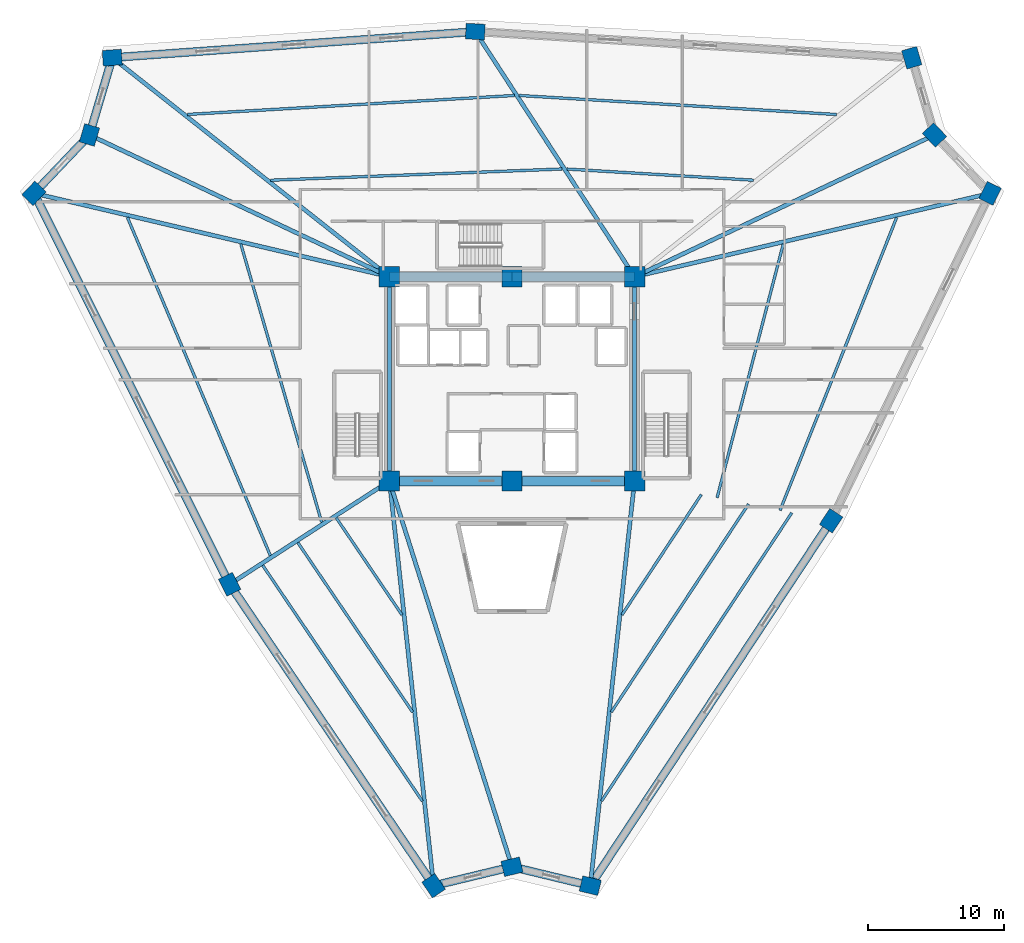
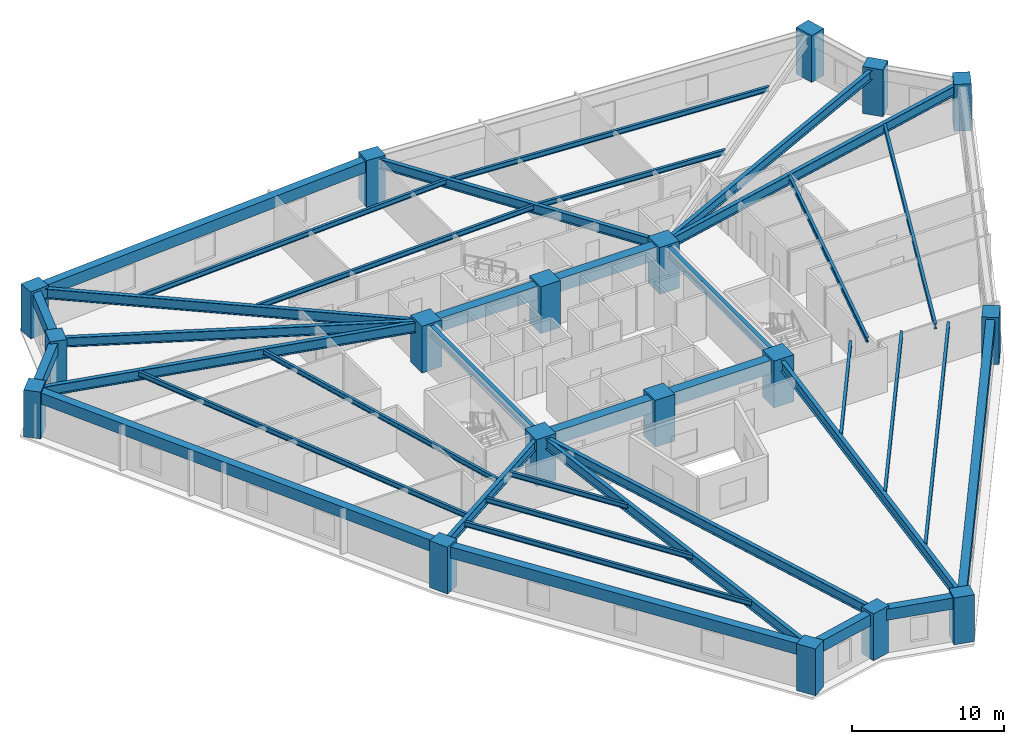
# One storey, part 1 of 8: 38 beams, 18 columns.
"""IFC4 building model written with IfcOpenShell, lengths in metres."""

from ifc_helpers import new_model, si_unit, direction, frame, origin, origin_2d, place, context, subcontext, project, spatial, rectangle, i_section, extrude, source, transform, mapped, material, material_profile, profile_set, type_object, element, save


model = new_model("IFC4")

# Units and contexts
model_context = context("Model", 3, precision=1e-05, world=origin(), true_north=direction((0.0, 1.0)))
body_context = subcontext(model_context, "Body", "Model", "MODEL_VIEW")
ifc_project = project(units=[si_unit("LENGTHUNIT", "METRE"), si_unit("AREAUNIT", "SQUARE_METRE"), si_unit("VOLUMEUNIT", "CUBIC_METRE"), si_unit("PLANEANGLEUNIT", "RADIAN"), si_unit("MASSUNIT", "GRAM", prefix="KILO")], contexts=[model_context])

# Site, building, storey
site_placement = place(None, origin())
site = spatial("IfcSite", under=ifc_project, at=site_placement, CompositionType="ELEMENT")
building_placement = place(site_placement, origin())
building = spatial("IfcBuilding", under=site, at=building_placement, Name="Liaohun Quay Tower", CompositionType="ELEMENT")
storey_placement = place(building_placement, frame((0.0, 0.0, 155.25)))
storey = spatial("IfcBuildingStorey", under=building, at=storey_placement, Name="L40", CompositionType="ELEMENT", Elevation=155.25)

# Columns
ifc_material_1 = material(Name="Concrete C60", Category="concrete")
ifc_material_profile_1 = material_profile(ifc_material_1, rectangle(XDim=1.5, YDim=1.5, at=origin_2d()), Name="RC1500x1500")
ifc_profile_set_1 = profile_set([ifc_material_profile_1], Name="Concrete C60")
column_type_1 = type_object("IfcColumnType", Name="COL-CC-Z2", PredefinedType="COLUMN", material=ifc_profile_set_1)
shared_shape_1 = source(origin(), body_context, "Body", "SweptSolid", [
    extrude(rectangle(XDim=1.5, YDim=1.5, at=origin_2d()), origin(), (0.0, 0.0, 1.0), 3.75),
])
for number, where, z_axis, x_axis, name in (
    (1, (51.0, 46.5, 0.0), (0.0, 0.0, 1.0), (1.0, 0.0, 0.0), "L40 Core Column CC1"),
    (2, (60.0, 46.5, 0.0), (0.0, 0.0, 1.0), (1.0, 0.0, 0.0), "L40 Core Column CC2"),
    (3, (69.0, 46.5, 0.0), (0.0, 0.0, 1.0), (1.0, 0.0, 0.0), "L40 Core Column CC3"),
    (4, (69.0, 61.5, 0.0), (0.0, 0.0, 1.0), (1.0, 0.0, 0.0), "L40 Core Column CC4"),
    (5, (60.0, 61.5, 0.0), (0.0, 0.0, 1.0), (1.0, 0.0, 0.0), "L40 Core Column CC5"),
    (6, (51.0, 61.5, 0.0), (0.0, 0.0, 1.0), (1.0, 0.0, 0.0), "L40 Core Column CC6"),
):
    element("IfcColumn", number, at=place(storey_placement, frame(where, z_axis=z_axis, x_axis=x_axis)), inside=storey, type_object=column_type_1, Name=name, PredefinedType="COLUMN", context=body_context, shape_type="MappedRepresentation", body=[
        mapped(shared_shape_1, transform((0.0, 0.0, 0.0), x_axis=(1.0, 0.0, 0.0), y_axis=(0.0, 1.0, 0.0), z_axis=(0.0, 0.0, 1.0), scale=1.0)),
    ])
ifc_material_profile_2 = material_profile(ifc_material_1, rectangle(XDim=1.39990234375, YDim=1.14990234375, at=origin_2d()), Name="RC1400x1150")
ifc_profile_set_2 = profile_set([ifc_material_profile_2], Name="Concrete C60")
column_type_2 = type_object("IfcColumnType", Name="COL-PIER-Z2", PredefinedType="COLUMN", material=ifc_profile_set_2)
shared_shape_2 = source(origin(), body_context, "Body", "SweptSolid", [
    extrude(rectangle(XDim=1.39990234375, YDim=1.14990234375, at=origin_2d()), origin(), (0.0, 0.0, 1.0), 3.75),
])
for number, where, z_axis, x_axis, name in (
    (7, (54.2451171875, 16.781982421875, 0.0), (0.0, 0.0, 1.0), (-0.560638994563, 0.828060334622, 0.0), "L40 Perimeter Pier PC01"),
    (8, (39.260009765625, 38.9130859375, 0.0), (0.0, 0.0, 1.0), (-0.447290848419, 0.89438856037, 0.0), "L40 Perimeter Pier PC02"),
    (9, (24.89501953125, 67.631103515625, 0.0), (0.0, 0.0, 1.0), (0.68936671806, 0.724412539946, 0.0), "L40 Perimeter Pier PC03"),
    (10, (28.970947265625, 71.9150390625, 0.0), (0.0, 0.0, 1.0), (0.282676303383, 0.959215360337, 0.0), "L40 Perimeter Pier PC04"),
    (11, (30.64501953125, 77.592041015625, 0.0), (0.0, 0.0, 1.0), (0.997440782931, 0.071497444333, 0.0), "L40 Perimeter Pier PC05"),
    (12, (57.304931640625, 79.5048828125, 0.0), (0.0, 0.0, 1.0), (-0.998208638344, 0.059829042574, 0.0), "L40 Perimeter Pier PC06"),
    (13, (89.35693359375, 77.5849609375, 0.0), (0.0, 0.0, 1.0), (-0.282676303383, 0.959215360337, 0.0), "L40 Perimeter Pier PC07"),
    (14, (91.029052734375, 71.9150390625, 0.0), (0.0, 0.0, 1.0), (-0.68936671806, 0.724412539946, 0.0), "L40 Perimeter Pier PC08"),
    (15, (95.110107421875, 67.6259765625, 0.0), (0.0, 0.0, 1.0), (0.436801788368, 0.899557778955, 0.0), "L40 Perimeter Pier PC09"),
    (16, (83.43603515625, 43.58203125, 0.0), (0.0, 0.0, 1.0), (0.550917789925, 0.834559517796, 0.0), "L40 Perimeter Pier PC10"),
    (17, (65.7470703125, 16.782958984375, 0.0), (0.0, 0.0, 1.0), (-0.972043021443, 0.234802820391, 0.0), "L40 Perimeter Pier PC11"),
    (18, (60.0, 18.1708984375, 0.0), (0.0, 0.0, 1.0), (0.972043021443, 0.234802820391, 0.0), "L40 Perimeter Pier PC12"),
):
    element("IfcColumn", number, at=place(storey_placement, frame(where, z_axis=z_axis, x_axis=x_axis)), inside=storey, type_object=column_type_2, Name=name, PredefinedType="COLUMN", context=body_context, shape_type="MappedRepresentation", body=[
        mapped(shared_shape_2, transform((0.0, 0.0, 0.0), x_axis=(1.0, 0.0, 0.0), y_axis=(0.0, 1.0, 0.0), z_axis=(0.0, 0.0, 1.0), scale=1.0)),
    ])

# Beams
ifc_material_profile_3 = material_profile(ifc_material_1, rectangle(XDim=0.699951171875, YDim=1.050048828125, at=origin_2d()), Name="RC700x1050")
ifc_profile_set_3 = profile_set([ifc_material_profile_3], Name="Concrete C60")
beam_type_1 = type_object("IfcBeamType", Name="BM-CPL-1", PredefinedType="LINTEL", material=ifc_profile_set_3)
shared_shape_3 = source(origin(), body_context, "Body", "SweptSolid", [
    extrude(rectangle(XDim=0.699951171875, YDim=1.050048828125, at=origin_2d()), origin(), (0.0, 0.0, 1.0), 9.0),
])
for number, where, z_axis, x_axis, name in (
    (19, (51.0, 46.5, 3.044921875), (1.0, 0.0, 0.0), (0.0, 1.0, 0.0), "L40 Core Coupling/Ring Beam CC1-CC2"),
    (20, (60.0, 46.5, 3.044921875), (1.0, 0.0, 0.0), (0.0, 1.0, 0.0), "L40 Core Coupling/Ring Beam CC2-CC3"),
    (21, (69.0, 61.5, 3.044921875), (-1.0, 0.0, 0.0), (0.0, -1.0, 0.0), "L40 Core Coupling/Ring Beam CC4-CC5"),
    (22, (60.0, 61.5, 3.044921875), (-1.0, 0.0, 0.0), (0.0, -1.0, 0.0), "L40 Core Coupling/Ring Beam CC5-CC6"),
):
    element("IfcBeam", number, at=place(storey_placement, frame(where, z_axis=z_axis, x_axis=x_axis)), inside=storey, type_object=beam_type_1, Name=name, PredefinedType="LINTEL", context=body_context, shape_type="MappedRepresentation", body=[
        mapped(shared_shape_3, transform((0.0, 0.0, 0.0), x_axis=(1.0, 0.0, 0.0), y_axis=(0.0, 1.0, 0.0), z_axis=(0.0, 0.0, 1.0), scale=1.0)),
    ])
ifc_material_2 = material(Name="Steel Q355D", Category="steel")
ifc_material_profile_4 = material_profile(ifc_material_2, i_section(OverallWidth=0.300048828125, OverallDepth=0.800048828125, WebThickness=0.013916015625, FlangeThickness=0.02587890625, at=origin_2d()), Name="HN800x300x14x26")
ifc_profile_set_4 = profile_set([ifc_material_profile_4], Name="Steel Q355D")
beam_type_2 = type_object("IfcBeamType", Name="BM-RAD-M1", PredefinedType="BEAM", material=ifc_profile_set_4)
shared_shape_4 = source(origin(), body_context, "Body", "SweptSolid", [
    extrude(i_section(OverallWidth=0.300048828125, OverallDepth=0.800048828125, WebThickness=0.013916015625, FlangeThickness=0.02587890625, at=origin_2d()), origin(), (0.0, 0.0, 1.0), 15.0),
])
for number, where, z_axis, x_axis, name in (
    (23, (69.0, 46.5, 3.169921875), (0.0, 1.0, 0.0), (-1.0, 0.0, 0.0), "L40 Core Coupling/Ring Beam CC3-CC4"),
    (24, (51.0, 61.5, 3.169921875), (0.0, -1.0, 0.0), (1.0, 0.0, 0.0), "L40 Core Coupling/Ring Beam CC6-CC1"),
):
    element("IfcBeam", number, at=place(storey_placement, frame(where, z_axis=z_axis, x_axis=x_axis)), inside=storey, type_object=beam_type_2, Name=name, PredefinedType="BEAM", context=body_context, shape_type="MappedRepresentation", body=[
        mapped(shared_shape_4, transform((0.0, 0.0, 0.0), x_axis=(1.0, 0.0, 0.0), y_axis=(0.0, 1.0, 0.0), z_axis=(0.0, 0.0, 1.0), scale=1.0)),
    ])
shared_shape_5 = source(origin(), body_context, "Body", "SweptSolid", [
    extrude(i_section(OverallWidth=0.300048828125, OverallDepth=0.800048828125, WebThickness=0.013916015625, FlangeThickness=0.02587890625, at=origin_2d()), origin(), (0.0, 0.0, 1.0), 29.894775390625),
])
beam_1_placement = place(storey_placement, frame((51.0, 46.5, 3.169921875), z_axis=(0.108551694289, -0.994090805544, 0.0), x_axis=(0.994090805544, 0.108551694289, 0.0)))
element("IfcBeam", 25, at=beam_1_placement, inside=storey, type_object=beam_type_2, Name="L40 Radial Primary Girder CC1-PC01", PredefinedType="BEAM", context=body_context, shape_type="MappedRepresentation", body=[
    mapped(shared_shape_5, transform((0.0, 0.0, 0.0), x_axis=(1.0, 0.0, 0.0), y_axis=(0.0, 1.0, 0.0), z_axis=(0.0, 0.0, 1.0), scale=1.0)),
])
ifc_material_profile_5 = material_profile(ifc_material_2, i_section(OverallWidth=0.300048828125, OverallDepth=0.75, WebThickness=0.013916015625, FlangeThickness=0.02587890625, at=origin_2d()), Name="HN750x300x14x26")
ifc_profile_set_5 = profile_set([ifc_material_profile_5], Name="Steel Q355D")
beam_type_3 = type_object("IfcBeamType", Name="BM-RAD-M2", PredefinedType="BEAM", material=ifc_profile_set_5)
shared_shape_6 = source(origin(), body_context, "Body", "SweptSolid", [
    extrude(i_section(OverallWidth=0.300048828125, OverallDepth=0.75, WebThickness=0.013916015625, FlangeThickness=0.02587890625, at=origin_2d()), origin(), (0.0, 0.0, 1.0), 13.97802734375),
])
beam_2_placement = place(storey_placement, frame((51.0, 46.5, 3.195068359375), z_axis=(-0.839881635837, -0.54276959917, 0.0), x_axis=(0.54276959917, -0.839881635837, 0.0)))
element("IfcBeam", 26, at=beam_2_placement, inside=storey, type_object=beam_type_3, Name="L40 Radial Primary Girder CC1-PC02", PredefinedType="BEAM", context=body_context, shape_type="MappedRepresentation", body=[
    mapped(shared_shape_6, transform((0.0, 0.0, 0.0), x_axis=(1.0, 0.0, 0.0), y_axis=(0.0, 1.0, 0.0), z_axis=(0.0, 0.0, 1.0), scale=1.0)),
])
shared_shape_7 = source(origin(), body_context, "Body", "SweptSolid", [
    extrude(i_section(OverallWidth=0.300048828125, OverallDepth=0.800048828125, WebThickness=0.013916015625, FlangeThickness=0.02587890625, at=origin_2d()), origin(), (0.0, 0.0, 1.0), 26.815185546875),
])
beam_3_placement = place(storey_placement, frame((51.0, 61.5, 3.169921875), z_axis=(-0.973510580273, 0.228641969235, 0.0), x_axis=(-0.228641969235, -0.973510580273, 0.0)))
element("IfcBeam", 27, at=beam_3_placement, inside=storey, type_object=beam_type_2, Name="L40 Radial Primary Girder CC6-PC03", PredefinedType="BEAM", context=body_context, shape_type="MappedRepresentation", body=[
    mapped(shared_shape_7, transform((0.0, 0.0, 0.0), x_axis=(1.0, 0.0, 0.0), y_axis=(0.0, 1.0, 0.0), z_axis=(0.0, 0.0, 1.0), scale=1.0)),
])
shared_shape_8 = source(origin(), body_context, "Body", "SweptSolid", [
    extrude(i_section(OverallWidth=0.300048828125, OverallDepth=0.75, WebThickness=0.013916015625, FlangeThickness=0.02587890625, at=origin_2d()), origin(), (0.0, 0.0, 1.0), 24.366943359375),
])
for number, where, z_axis, x_axis, name in (
    (28, (51.0, 61.5, 3.195068359375), (-0.904051571704, 0.427423391616, 0.0), (-0.427423391616, -0.904051571704, 0.0), "L40 Radial Primary Girder CC6-PC04"),
    (29, (69.0, 61.5, 3.195068359375), (0.904051571704, 0.427423391616, 0.0), (-0.427423391616, 0.904051571704, 0.0), "L40 Radial Primary Girder CC4-PC08"),
):
    element("IfcBeam", number, at=place(storey_placement, frame(where, z_axis=z_axis, x_axis=x_axis)), inside=storey, type_object=beam_type_3, Name=name, PredefinedType="BEAM", context=body_context, shape_type="MappedRepresentation", body=[
        mapped(shared_shape_8, transform((0.0, 0.0, 0.0), x_axis=(1.0, 0.0, 0.0), y_axis=(0.0, 1.0, 0.0), z_axis=(0.0, 0.0, 1.0), scale=1.0)),
    ])
shared_shape_9 = source(origin(), body_context, "Body", "SweptSolid", [
    extrude(i_section(OverallWidth=0.300048828125, OverallDepth=0.800048828125, WebThickness=0.013916015625, FlangeThickness=0.02587890625, at=origin_2d()), origin(), (0.0, 0.0, 1.0), 25.947509765625),
])
beam_4_placement = place(storey_placement, frame((51.0, 61.5, 3.169921875), z_axis=(-0.784464240313, 0.620174052723, 0.0), x_axis=(-0.620174052723, -0.784464240313, 0.0)))
element("IfcBeam", 30, at=beam_4_placement, inside=storey, type_object=beam_type_2, Name="L40 Radial Primary Girder CC6-PC05", PredefinedType="BEAM", context=body_context, shape_type="MappedRepresentation", body=[
    mapped(shared_shape_9, transform((0.0, 0.0, 0.0), x_axis=(1.0, 0.0, 0.0), y_axis=(0.0, 1.0, 0.0), z_axis=(0.0, 0.0, 1.0), scale=1.0)),
])
shared_shape_10 = source(origin(), body_context, "Body", "SweptSolid", [
    extrude(i_section(OverallWidth=0.300048828125, OverallDepth=0.75, WebThickness=0.013916015625, FlangeThickness=0.02587890625, at=origin_2d()), origin(), (0.0, 0.0, 1.0), 21.4697265625),
])
beam_5_placement = place(storey_placement, frame((69.0, 61.5, 3.195068359375), z_axis=(-0.544722924618, 0.838616083435, 0.0), x_axis=(-0.838616083435, -0.544722924618, 0.0)))
element("IfcBeam", 31, at=beam_5_placement, inside=storey, type_object=beam_type_3, Name="L40 Radial Primary Girder CC4-PC06", PredefinedType="BEAM", context=body_context, shape_type="MappedRepresentation", body=[
    mapped(shared_shape_10, transform((0.0, 0.0, 0.0), x_axis=(1.0, 0.0, 0.0), y_axis=(0.0, 1.0, 0.0), z_axis=(0.0, 0.0, 1.0), scale=1.0)),
])
shared_shape_11 = source(origin(), body_context, "Body", "SweptSolid", [
    extrude(i_section(OverallWidth=0.300048828125, OverallDepth=0.800048828125, WebThickness=0.013916015625, FlangeThickness=0.02587890625, at=origin_2d()), origin(), (0.0, 0.0, 1.0), 26.819091796875),
])
beam_6_placement = place(storey_placement, frame((69.0, 61.5, 3.169921875), z_axis=(0.973563099437, 0.228418237922, 0.0), x_axis=(-0.228418237922, 0.973563099437, 0.0)))
element("IfcBeam", 32, at=beam_6_placement, inside=storey, type_object=beam_type_2, Name="L40 Radial Primary Girder CC4-PC09", PredefinedType="BEAM", context=body_context, shape_type="MappedRepresentation", body=[
    mapped(shared_shape_11, transform((0.0, 0.0, 0.0), x_axis=(1.0, 0.0, 0.0), y_axis=(0.0, 1.0, 0.0), z_axis=(0.0, 0.0, 1.0), scale=1.0)),
])
shared_shape_12 = source(origin(), body_context, "Body", "SweptSolid", [
    extrude(i_section(OverallWidth=0.300048828125, OverallDepth=0.800048828125, WebThickness=0.013916015625, FlangeThickness=0.02587890625, at=origin_2d()), origin(), (0.0, 0.0, 1.0), 29.89453125),
])
beam_7_placement = place(storey_placement, frame((69.0, 46.5, 3.169921875), z_axis=(-0.108813471449, -0.994062185395, 0.0), x_axis=(0.994062185395, -0.108813471449, 0.0)))
element("IfcBeam", 33, at=beam_7_placement, inside=storey, type_object=beam_type_2, Name="L40 Radial Primary Girder CC3-PC11", PredefinedType="BEAM", context=body_context, shape_type="MappedRepresentation", body=[
    mapped(shared_shape_12, transform((0.0, 0.0, 0.0), x_axis=(1.0, 0.0, 0.0), y_axis=(0.0, 1.0, 0.0), z_axis=(0.0, 0.0, 1.0), scale=1.0)),
])
shared_shape_13 = source(origin(), body_context, "Body", "SweptSolid", [
    extrude(i_section(OverallWidth=0.300048828125, OverallDepth=0.75, WebThickness=0.013916015625, FlangeThickness=0.02587890625, at=origin_2d()), origin(), (0.0, 0.0, 1.0), 29.724365234375),
])
beam_8_placement = place(storey_placement, frame((51.0, 46.5, 3.195068359375), z_axis=(0.302781889044, -0.953059876223, 0.0), x_axis=(0.953059876223, 0.302781889044, 0.0)))
element("IfcBeam", 34, at=beam_8_placement, inside=storey, type_object=beam_type_3, Name="L40 Radial Primary Girder CC1-PC12", PredefinedType="BEAM", context=body_context, shape_type="MappedRepresentation", body=[
    mapped(shared_shape_13, transform((0.0, 0.0, 0.0), x_axis=(1.0, 0.0, 0.0), y_axis=(0.0, 1.0, 0.0), z_axis=(0.0, 0.0, 1.0), scale=1.0)),
])
ifc_material_profile_6 = material_profile(ifc_material_2, i_section(OverallWidth=0.199951171875, OverallDepth=0.39990234375, WebThickness=0.008056640625, FlangeThickness=0.012939453125, at=origin_2d()), Name="HN400x200x8x13")
ifc_profile_set_6 = profile_set([ifc_material_profile_6], Name="Steel Q355D")
beam_type_4 = type_object("IfcBeamType", Name="BM-SEC-J2", PredefinedType="JOIST", material=ifc_profile_set_6)
shared_shape_14 = source(origin(), body_context, "Body", "SweptSolid", [
    extrude(i_section(OverallWidth=0.199951171875, OverallDepth=0.39990234375, WebThickness=0.008056640625, FlangeThickness=0.012939453125, at=origin_2d()), origin(), (0.0, 0.0, 1.0), 8.615234375),
])
beam_9_placement = place(storey_placement, frame((51.923095703125, 36.662109375, 3.3701171875), z_axis=(-0.560650123025, 0.828052799979, 0.0), x_axis=(-0.828052799979, -0.560650123025, 0.0)))
element("IfcBeam", 35, at=beam_9_placement, inside=storey, type_object=beam_type_4, Name="L40 Wing Secondary Floor Joist SJ-01", PredefinedType="JOIST", context=body_context, shape_type="MappedRepresentation", body=[
    mapped(shared_shape_14, transform((0.0, 0.0, 0.0), x_axis=(1.0, 0.0, 0.0), y_axis=(0.0, 1.0, 0.0), z_axis=(0.0, 0.0, 1.0), scale=1.0)),
])
shared_shape_15 = source(origin(), body_context, "Body", "SweptSolid", [
    extrude(i_section(OverallWidth=0.199951171875, OverallDepth=0.39990234375, WebThickness=0.008056640625, FlangeThickness=0.012939453125, at=origin_2d()), origin(), (0.0, 0.0, 1.0), 15.030517578125),
])
beam_10_placement = place(storey_placement, frame((52.701904296875, 29.529052734375, 3.3701171875), z_axis=(-0.560657061526, 0.828048102081, 0.0), x_axis=(-0.828048102081, -0.560657061526, 0.0)))
element("IfcBeam", 36, at=beam_10_placement, inside=storey, type_object=beam_type_4, Name="L40 Wing Secondary Floor Joist SJ-02", PredefinedType="JOIST", context=body_context, shape_type="MappedRepresentation", body=[
    mapped(shared_shape_15, transform((0.0, 0.0, 0.0), x_axis=(1.0, 0.0, 0.0), y_axis=(0.0, 1.0, 0.0), z_axis=(0.0, 0.0, 1.0), scale=1.0)),
])
shared_shape_16 = source(origin(), body_context, "Body", "SweptSolid", [
    extrude(i_section(OverallWidth=0.199951171875, OverallDepth=0.39990234375, WebThickness=0.008056640625, FlangeThickness=0.012939453125, at=origin_2d()), origin(), (0.0, 0.0, 1.0), 20.910888671875),
])
beam_11_placement = place(storey_placement, frame((53.416015625, 22.990966796875, 3.3701171875), z_axis=(-0.560672586266, 0.828037590336, 0.0), x_axis=(-0.828037590336, -0.560672586266, 0.0)))
element("IfcBeam", 37, at=beam_11_placement, inside=storey, type_object=beam_type_4, Name="L40 Wing Secondary Floor Joist SJ-03", PredefinedType="JOIST", context=body_context, shape_type="MappedRepresentation", body=[
    mapped(shared_shape_16, transform((0.0, 0.0, 0.0), x_axis=(1.0, 0.0, 0.0), y_axis=(0.0, 1.0, 0.0), z_axis=(0.0, 0.0, 1.0), scale=1.0)),
])
shared_shape_17 = source(origin(), body_context, "Body", "SweptSolid", [
    extrude(i_section(OverallWidth=0.199951171875, OverallDepth=0.39990234375, WebThickness=0.008056640625, FlangeThickness=0.012939453125, at=origin_2d()), origin(), (0.0, 0.0, 1.0), 21.291748046875),
])
beam_12_placement = place(storey_placement, frame((46.02587890625, 43.464111328125, 3.3701171875), z_axis=(-0.279070810069, 0.960270525929, 0.0), x_axis=(-0.960270525929, -0.279070810069, 0.0)))
element("IfcBeam", 38, at=beam_12_placement, inside=storey, type_object=beam_type_4, Name="L40 Wing Secondary Floor Joist SJ-04", PredefinedType="JOIST", context=body_context, shape_type="MappedRepresentation", body=[
    mapped(shared_shape_17, transform((0.0, 0.0, 0.0), x_axis=(1.0, 0.0, 0.0), y_axis=(0.0, 1.0, 0.0), z_axis=(0.0, 0.0, 1.0), scale=1.0)),
])
shared_shape_18 = source(origin(), body_context, "Body", "SweptSolid", [
    extrude(i_section(OverallWidth=0.199951171875, OverallDepth=0.39990234375, WebThickness=0.008056640625, FlangeThickness=0.012939453125, at=origin_2d()), origin(), (0.0, 0.0, 1.0), 26.96728515625),
])
beam_13_placement = place(storey_placement, frame((42.2529296875, 41.02587890625, 3.3701171875), z_axis=(-0.389287035607, 0.921116498554, 0.0), x_axis=(-0.921116498554, -0.389287035607, 0.0)))
element("IfcBeam", 39, at=beam_13_placement, inside=storey, type_object=beam_type_4, Name="L40 Wing Secondary Floor Joist SJ-05", PredefinedType="JOIST", context=body_context, shape_type="MappedRepresentation", body=[
    mapped(shared_shape_18, transform((0.0, 0.0, 0.0), x_axis=(1.0, 0.0, 0.0), y_axis=(0.0, 1.0, 0.0), z_axis=(0.0, 0.0, 1.0), scale=1.0)),
])
shared_shape_19 = source(origin(), body_context, "Body", "SweptSolid", [
    extrude(i_section(OverallWidth=0.199951171875, OverallDepth=0.39990234375, WebThickness=0.008056640625, FlangeThickness=0.012939453125, at=origin_2d()), origin(), (0.0, 0.0, 1.0), 21.421875),
])
beam_14_placement = place(storey_placement, frame((42.27392578125, 68.589111328125, 3.3701171875), z_axis=(0.999256470425, 0.038555237166, 0.0), x_axis=(-0.038555237166, 0.999256470425, 0.0)))
element("IfcBeam", 40, at=beam_14_placement, inside=storey, type_object=beam_type_4, Name="L40 Wing Secondary Floor Joist SJ-06", PredefinedType="JOIST", context=body_context, shape_type="MappedRepresentation", body=[
    mapped(shared_shape_19, transform((0.0, 0.0, 0.0), x_axis=(1.0, 0.0, 0.0), y_axis=(0.0, 1.0, 0.0), z_axis=(0.0, 0.0, 1.0), scale=1.0)),
])
shared_shape_20 = source(origin(), body_context, "Body", "SweptSolid", [
    extrude(i_section(OverallWidth=0.199951171875, OverallDepth=0.39990234375, WebThickness=0.008056640625, FlangeThickness=0.012939453125, at=origin_2d()), origin(), (0.0, 0.0, 1.0), 24.05029296875),
])
beam_15_placement = place(storey_placement, frame((36.1630859375, 73.4208984375, 3.3701171875), z_axis=(0.998321063897, 0.05792282262, 0.0), x_axis=(-0.05792282262, 0.998321063897, 0.0)))
element("IfcBeam", 41, at=beam_15_placement, inside=storey, type_object=beam_type_4, Name="L40 Wing Secondary Floor Joist SJ-07", PredefinedType="JOIST", context=body_context, shape_type="MappedRepresentation", body=[
    mapped(shared_shape_20, transform((0.0, 0.0, 0.0), x_axis=(1.0, 0.0, 0.0), y_axis=(0.0, 1.0, 0.0), z_axis=(0.0, 0.0, 1.0), scale=1.0)),
])
shared_shape_21 = source(origin(), body_context, "Body", "SweptSolid", [
    extrude(i_section(OverallWidth=0.199951171875, OverallDepth=0.39990234375, WebThickness=0.008056640625, FlangeThickness=0.012939453125, at=origin_2d()), origin(), (0.0, 0.0, 1.0), 13.71630859375),
])
beam_16_placement = place(storey_placement, frame((64.0400390625, 69.410888671875, 3.3701171875), z_axis=(0.998212201621, -0.059769561946, 0.0), x_axis=(0.059769561946, 0.998212201621, 0.0)))
element("IfcBeam", 42, at=beam_16_placement, inside=storey, type_object=beam_type_4, Name="L40 Wing Secondary Floor Joist SJ-08", PredefinedType="JOIST", context=body_context, shape_type="MappedRepresentation", body=[
    mapped(shared_shape_21, transform((0.0, 0.0, 0.0), x_axis=(1.0, 0.0, 0.0), y_axis=(0.0, 1.0, 0.0), z_axis=(0.0, 0.0, 1.0), scale=1.0)),
])
shared_shape_22 = source(origin(), body_context, "Body", "SweptSolid", [
    extrude(i_section(OverallWidth=0.199951171875, OverallDepth=0.39990234375, WebThickness=0.008056640625, FlangeThickness=0.012939453125, at=origin_2d()), origin(), (0.0, 0.0, 1.0), 23.348876953125),
])
beam_17_placement = place(storey_placement, frame((60.531982421875, 74.81298828125, 3.3701171875), z_axis=(0.998208569248, -0.059830195391, 0.0), x_axis=(0.059830195391, 0.998208569248, 0.0)))
element("IfcBeam", 43, at=beam_17_placement, inside=storey, type_object=beam_type_4, Name="L40 Wing Secondary Floor Joist SJ-09", PredefinedType="JOIST", context=body_context, shape_type="MappedRepresentation", body=[
    mapped(shared_shape_22, transform((0.0, 0.0, 0.0), x_axis=(1.0, 0.0, 0.0), y_axis=(0.0, 1.0, 0.0), z_axis=(0.0, 0.0, 1.0), scale=1.0)),
])
shared_shape_23 = source(origin(), body_context, "Body", "SweptSolid", [
    extrude(i_section(OverallWidth=0.199951171875, OverallDepth=0.39990234375, WebThickness=0.008056640625, FlangeThickness=0.012939453125, at=origin_2d()), origin(), (0.0, 0.0, 1.0), 19.25830078125),
])
beam_18_placement = place(storey_placement, frame((79.923095703125, 63.908935546875, 3.3701171875), z_axis=(-0.252363581901, -0.967632483193, 0.0), x_axis=(0.967632483193, -0.252363581901, 0.0)))
element("IfcBeam", 44, at=beam_18_placement, inside=storey, type_object=beam_type_4, Name="L40 Wing Secondary Floor Joist SJ-10", PredefinedType="JOIST", context=body_context, shape_type="MappedRepresentation", body=[
    mapped(shared_shape_23, transform((0.0, 0.0, 0.0), x_axis=(1.0, 0.0, 0.0), y_axis=(0.0, 1.0, 0.0), z_axis=(0.0, 0.0, 1.0), scale=1.0)),
])
shared_shape_24 = source(origin(), body_context, "Body", "SweptSolid", [
    extrude(i_section(OverallWidth=0.199951171875, OverallDepth=0.39990234375, WebThickness=0.008056640625, FlangeThickness=0.012939453125, at=origin_2d()), origin(), (0.0, 0.0, 1.0), 23.165771484375),
])
beam_19_placement = place(storey_placement, frame((88.25390625, 65.863037109375, 3.3701171875), z_axis=(-0.369976587417, -0.929041078082, 0.0), x_axis=(0.929041078082, -0.369976587417, 0.0)))
element("IfcBeam", 45, at=beam_19_placement, inside=storey, type_object=beam_type_4, Name="L40 Wing Secondary Floor Joist SJ-11", PredefinedType="JOIST", context=body_context, shape_type="MappedRepresentation", body=[
    mapped(shared_shape_24, transform((0.0, 0.0, 0.0), x_axis=(1.0, 0.0, 0.0), y_axis=(0.0, 1.0, 0.0), z_axis=(0.0, 0.0, 1.0), scale=1.0)),
])
shared_shape_25 = source(origin(), body_context, "Body", "SweptSolid", [
    extrude(i_section(OverallWidth=0.199951171875, OverallDepth=0.39990234375, WebThickness=0.008056640625, FlangeThickness=0.012939453125, at=origin_2d()), origin(), (0.0, 0.0, 1.0), 10.58935546875),
])
beam_20_placement = place(storey_placement, frame((73.907958984375, 45.508056640625, 3.3701171875), z_axis=(-0.550831608995, -0.834616402027, 0.0), x_axis=(0.834616402027, -0.550831608995, 0.0)))
element("IfcBeam", 46, at=beam_20_placement, inside=storey, type_object=beam_type_4, Name="L40 Wing Secondary Floor Joist SJ-12", PredefinedType="JOIST", context=body_context, shape_type="MappedRepresentation", body=[
    mapped(shared_shape_25, transform((0.0, 0.0, 0.0), x_axis=(1.0, 0.0, 0.0), y_axis=(0.0, 1.0, 0.0), z_axis=(0.0, 0.0, 1.0), scale=1.0)),
])
shared_shape_26 = source(origin(), body_context, "Body", "SweptSolid", [
    extrude(i_section(OverallWidth=0.199951171875, OverallDepth=0.39990234375, WebThickness=0.008056640625, FlangeThickness=0.012939453125, at=origin_2d()), origin(), (0.0, 0.0, 1.0), 18.29638671875),
])
beam_21_placement = place(storey_placement, frame((77.373046875, 44.80810546875, 3.3701171875), z_axis=(-0.550876040842, -0.83458707612, 0.0), x_axis=(0.83458707612, -0.550876040842, 0.0)))
element("IfcBeam", 47, at=beam_21_placement, inside=storey, type_object=beam_type_4, Name="L40 Wing Secondary Floor Joist SJ-13", PredefinedType="JOIST", context=body_context, shape_type="MappedRepresentation", body=[
    mapped(shared_shape_26, transform((0.0, 0.0, 0.0), x_axis=(1.0, 0.0, 0.0), y_axis=(0.0, 1.0, 0.0), z_axis=(0.0, 0.0, 1.0), scale=1.0)),
])
shared_shape_27 = source(origin(), body_context, "Body", "SweptSolid", [
    extrude(i_section(OverallWidth=0.199951171875, OverallDepth=0.39990234375, WebThickness=0.008056640625, FlangeThickness=0.012939453125, at=origin_2d()), origin(), (0.0, 0.0, 1.0), 25.361328125),
])
beam_22_placement = place(storey_placement, frame((80.549072265625, 44.166015625, 3.3701171875), z_axis=(-0.550886732508, -0.834580018899, 0.0), x_axis=(0.834580018899, -0.550886732508, 0.0)))
element("IfcBeam", 48, at=beam_22_placement, inside=storey, type_object=beam_type_4, Name="L40 Wing Secondary Floor Joist SJ-14", PredefinedType="JOIST", context=body_context, shape_type="MappedRepresentation", body=[
    mapped(shared_shape_27, transform((0.0, 0.0, 0.0), x_axis=(1.0, 0.0, 0.0), y_axis=(0.0, 1.0, 0.0), z_axis=(0.0, 0.0, 1.0), scale=1.0)),
])
ifc_material_3 = material(Name="Precast concrete C55", Category="concrete")
ifc_material_profile_7 = material_profile(ifc_material_3, rectangle(XDim=0.60009765625, YDim=0.89990234375, at=origin_2d()), Name="RC600x900")
ifc_profile_set_7 = profile_set([ifc_material_profile_7], Name="Precast concrete C55")
beam_type_5 = type_object("IfcBeamType", Name="BM-SPD-Z2", PredefinedType="SPANDREL", material=ifc_profile_set_7)
shared_shape_28 = source(origin(), body_context, "Body", "SweptSolid", [
    extrude(rectangle(XDim=0.60009765625, YDim=0.89990234375, at=origin_2d()), origin(), (0.0, 0.0, 1.0), 26.72705078125),
])
beam_23_placement = place(storey_placement, frame((54.2451171875, 16.781982421875, 3.1201171875), z_axis=(-0.560670392658, 0.828039075646, 0.0), x_axis=(-0.828039075646, -0.560670392658, 0.0)))
element("IfcBeam", 49, at=beam_23_placement, inside=storey, type_object=beam_type_5, Name="L40 Precast Spandrel Beam PC01-PC02", PredefinedType="SPANDREL", context=body_context, shape_type="MappedRepresentation", body=[
    mapped(shared_shape_28, transform((0.0, 0.0, 0.0), x_axis=(1.0, 0.0, 0.0), y_axis=(0.0, 1.0, 0.0), z_axis=(0.0, 0.0, 1.0), scale=1.0)),
])
shared_shape_29 = source(origin(), body_context, "Body", "SweptSolid", [
    extrude(rectangle(XDim=0.60009765625, YDim=0.89990234375, at=origin_2d()), origin(), (0.0, 0.0, 1.0), 32.1103515625),
])
beam_24_placement = place(storey_placement, frame((39.260009765625, 38.9130859375, 3.1201171875), z_axis=(-0.447362611322, 0.894352667571, 0.0), x_axis=(-0.894352667571, -0.447362611322, 0.0)))
element("IfcBeam", 50, at=beam_24_placement, inside=storey, type_object=beam_type_5, Name="L40 Precast Spandrel Beam PC02-PC03", PredefinedType="SPANDREL", context=body_context, shape_type="MappedRepresentation", body=[
    mapped(shared_shape_29, transform((0.0, 0.0, 0.0), x_axis=(1.0, 0.0, 0.0), y_axis=(0.0, 1.0, 0.0), z_axis=(0.0, 0.0, 1.0), scale=1.0)),
])
shared_shape_30 = source(origin(), body_context, "Body", "SweptSolid", [
    extrude(rectangle(XDim=0.60009765625, YDim=0.89990234375, at=origin_2d()), origin(), (0.0, 0.0, 1.0), 5.9130859375),
])
beam_25_placement = place(storey_placement, frame((24.89501953125, 67.631103515625, 3.1201171875), z_axis=(0.689299405593, 0.724476589994, 0.0), x_axis=(-0.724476589994, 0.689299405593, 0.0)))
element("IfcBeam", 51, at=beam_25_placement, inside=storey, type_object=beam_type_5, Name="L40 Precast Spandrel Beam PC03-PC04", PredefinedType="SPANDREL", context=body_context, shape_type="MappedRepresentation", body=[
    mapped(shared_shape_30, transform((0.0, 0.0, 0.0), x_axis=(1.0, 0.0, 0.0), y_axis=(0.0, 1.0, 0.0), z_axis=(0.0, 0.0, 1.0), scale=1.0)),
])
shared_shape_31 = source(origin(), body_context, "Body", "SweptSolid", [
    extrude(rectangle(XDim=0.60009765625, YDim=0.89990234375, at=origin_2d()), origin(), (0.0, 0.0, 1.0), 5.918701171875),
])
beam_26_placement = place(storey_placement, frame((28.970947265625, 71.9150390625, 3.1201171875), z_axis=(0.28284515591, 0.959165584129, 0.0), x_axis=(-0.959165584129, 0.28284515591, 0.0)))
element("IfcBeam", 52, at=beam_26_placement, inside=storey, type_object=beam_type_5, Name="L40 Precast Spandrel Beam PC04-PC05", PredefinedType="SPANDREL", context=body_context, shape_type="MappedRepresentation", body=[
    mapped(shared_shape_31, transform((0.0, 0.0, 0.0), x_axis=(1.0, 0.0, 0.0), y_axis=(0.0, 1.0, 0.0), z_axis=(0.0, 0.0, 1.0), scale=1.0)),
])
shared_shape_32 = source(origin(), body_context, "Body", "SweptSolid", [
    extrude(rectangle(XDim=0.60009765625, YDim=0.89990234375, at=origin_2d()), origin(), (0.0, 0.0, 1.0), 26.728515625),
])
beam_27_placement = place(storey_placement, frame((30.64501953125, 77.592041015625, 3.1201171875), z_axis=(0.997435883179, 0.071565766579, 0.0), x_axis=(-0.071565766579, 0.997435883179, 0.0)))
element("IfcBeam", 53, at=beam_27_placement, inside=storey, type_object=beam_type_5, Name="L40 Precast Spandrel Beam PC05-PC06", PredefinedType="SPANDREL", context=body_context, shape_type="MappedRepresentation", body=[
    mapped(shared_shape_32, transform((0.0, 0.0, 0.0), x_axis=(1.0, 0.0, 0.0), y_axis=(0.0, 1.0, 0.0), z_axis=(0.0, 0.0, 1.0), scale=1.0)),
])
shared_shape_33 = source(origin(), body_context, "Body", "SweptSolid", [
    extrude(rectangle(XDim=0.60009765625, YDim=0.89990234375, at=origin_2d()), origin(), (0.0, 0.0, 1.0), 32.110595703125),
])
beam_28_placement = place(storey_placement, frame((83.43603515625, 43.58203125, 3.1201171875), z_axis=(-0.550876420846, -0.834586825295, 0.0), x_axis=(0.834586825295, -0.550876420846, 0.0)))
element("IfcBeam", 54, at=beam_28_placement, inside=storey, type_object=beam_type_5, Name="L40 Precast Spandrel Beam PC10-PC11", PredefinedType="SPANDREL", context=body_context, shape_type="MappedRepresentation", body=[
    mapped(shared_shape_33, transform((0.0, 0.0, 0.0), x_axis=(1.0, 0.0, 0.0), y_axis=(0.0, 1.0, 0.0), z_axis=(0.0, 0.0, 1.0), scale=1.0)),
])
shared_shape_34 = source(origin(), body_context, "Body", "SweptSolid", [
    extrude(rectangle(XDim=0.60009765625, YDim=0.89990234375, at=origin_2d()), origin(), (0.0, 0.0, 1.0), 5.912353515625),
])
beam_29_placement = place(storey_placement, frame((65.7470703125, 16.782958984375, 3.1201171875), z_axis=(-0.972054595357, 0.234754901215, 0.0), x_axis=(-0.234754901215, -0.972054595357, 0.0)))
element("IfcBeam", 55, at=beam_29_placement, inside=storey, type_object=beam_type_5, Name="L40 Precast Spandrel Beam PC11-PC12", PredefinedType="SPANDREL", context=body_context, shape_type="MappedRepresentation", body=[
    mapped(shared_shape_34, transform((0.0, 0.0, 0.0), x_axis=(1.0, 0.0, 0.0), y_axis=(0.0, 1.0, 0.0), z_axis=(0.0, 0.0, 1.0), scale=1.0)),
])
shared_shape_35 = source(origin(), body_context, "Body", "SweptSolid", [
    extrude(rectangle(XDim=0.60009765625, YDim=0.89990234375, at=origin_2d()), origin(), (0.0, 0.0, 1.0), 5.920166015625),
])
beam_30_placement = place(storey_placement, frame((60.0, 18.1708984375, 3.1201171875), z_axis=(-0.972089668201, -0.234609626777, 0.0), x_axis=(0.234609626777, -0.972089668201, 0.0)))
element("IfcBeam", 56, at=beam_30_placement, inside=storey, type_object=beam_type_5, Name="L40 Precast Spandrel Beam PC12-PC01", PredefinedType="SPANDREL", context=body_context, shape_type="MappedRepresentation", body=[
    mapped(shared_shape_35, transform((0.0, 0.0, 0.0), x_axis=(1.0, 0.0, 0.0), y_axis=(0.0, 1.0, 0.0), z_axis=(0.0, 0.0, 1.0), scale=1.0)),
])

save(model, "model.ifc")
